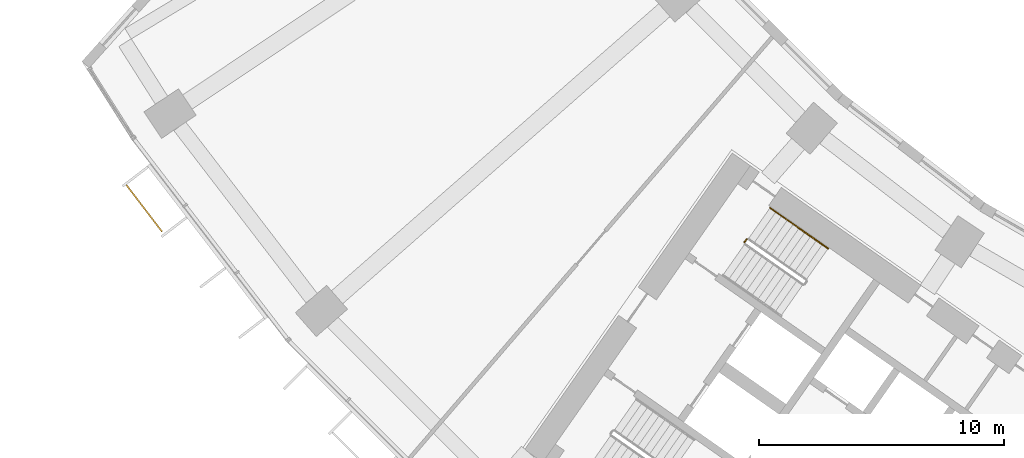
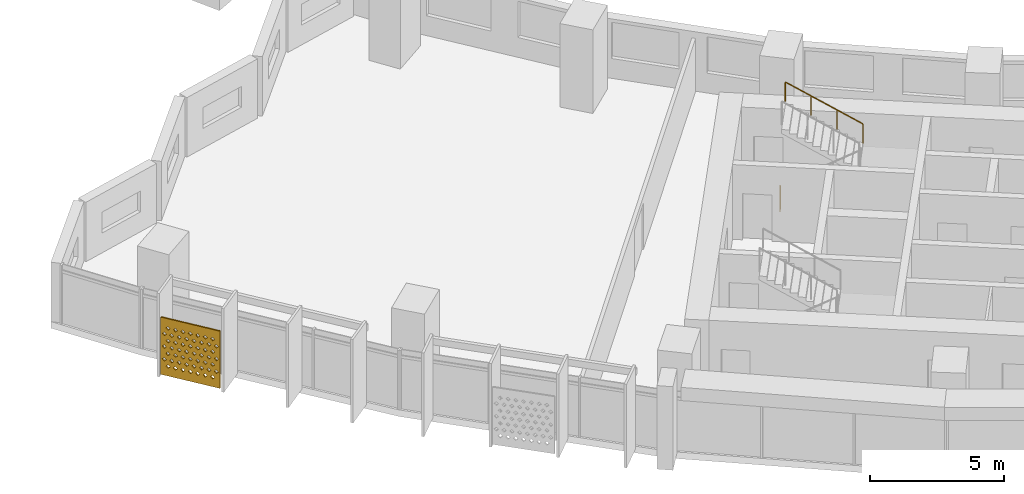
# One storey, part 27 of 31: 2 railings, 1 shading device.
"""IFC4 building model written with IfcOpenShell, lengths in metres."""

from ifc_helpers import new_model, si_unit, direction, frame, origin, origin_2d, place, context, subcontext, project, spatial, polyline, circle, outline, extrude, material, material_profile, profile_set, type_object, element, save


model = new_model("IFC4")

# Units and contexts
model_context = context("Model", 3, precision=1e-05, world=origin(), true_north=direction((0.0, 1.0)))
body_context = subcontext(model_context, "Body", "Model", "MODEL_VIEW")
ifc_project = project(units=[si_unit("LENGTHUNIT", "METRE"), si_unit("AREAUNIT", "SQUARE_METRE"), si_unit("VOLUMEUNIT", "CUBIC_METRE"), si_unit("PLANEANGLEUNIT", "RADIAN"), si_unit("MASSUNIT", "GRAM", prefix="KILO")], contexts=[model_context])

# Site, building, storey
site_placement = place(None, origin())
site = spatial("IfcSite", under=ifc_project, at=site_placement, CompositionType="ELEMENT")
building_placement = place(site_placement, origin())
building = spatial("IfcBuilding", under=site, at=building_placement, Name="Qamariyya Broadcast Tower", CompositionType="ELEMENT")
storey_placement = place(building_placement, frame((0.0, 0.0, 86.10009765625)))
storey = spatial("IfcBuildingStorey", under=building, at=storey_placement, Name="L18", CompositionType="ELEMENT", Elevation=86.10009765625)

# Shading device
ifc_material_1 = material(Name="Perforated glazed terracotta", Category="masonry")
ifc_material_profile = material_profile(ifc_material_1, outline(polyline([(-1.199951171875, -1.300048828125), (1.199951171875, -1.300048828125), (1.199951171875, 1.300048828125), (-1.199951171875, 1.300048828125), (-1.199951171875, -1.300048828125)]), holes=[polyline([(-0.81494140625, -0.86669921875), (-0.89990234375, -0.78173828125), (-0.985107421875, -0.86669921875), (-0.89990234375, -0.95166015625), (-0.81494140625, -0.86669921875)]), polyline([(-0.514892578125, -0.86669921875), (-0.60009765625, -0.78173828125), (-0.68505859375, -0.86669921875), (-0.60009765625, -0.95166015625), (-0.514892578125, -0.86669921875)]), polyline([(-0.215087890625, -0.86669921875), (-0.300048828125, -0.78173828125), (-0.385009765625, -0.86669921875), (-0.300048828125, -0.95166015625), (-0.215087890625, -0.86669921875)]), polyline([(0.0849609375, -0.86669921875), (0.0, -0.78173828125), (-0.0849609375, -0.86669921875), (0.0, -0.95166015625), (0.0849609375, -0.86669921875)]), polyline([(0.385009765625, -0.86669921875), (0.300048828125, -0.78173828125), (0.215087890625, -0.86669921875), (0.300048828125, -0.95166015625), (0.385009765625, -0.86669921875)]), polyline([(0.68505859375, -0.86669921875), (0.60009765625, -0.78173828125), (0.514892578125, -0.86669921875), (0.60009765625, -0.95166015625), (0.68505859375, -0.86669921875)]), polyline([(0.985107421875, -0.86669921875), (0.89990234375, -0.78173828125), (0.81494140625, -0.86669921875), (0.89990234375, -0.95166015625), (0.985107421875, -0.86669921875)]), polyline([(-0.965087890625, -0.577880859375), (-1.050048828125, -0.49267578125), (-1.135009765625, -0.577880859375), (-1.050048828125, -0.662841796875), (-0.965087890625, -0.577880859375)]), polyline([(-0.6650390625, -0.577880859375), (-0.75, -0.49267578125), (-0.8349609375, -0.577880859375), (-0.75, -0.662841796875), (-0.6650390625, -0.577880859375)]), polyline([(-0.364990234375, -0.577880859375), (-0.449951171875, -0.49267578125), (-0.534912109375, -0.577880859375), (-0.449951171875, -0.662841796875), (-0.364990234375, -0.577880859375)]), polyline([(-0.06494140625, -0.577880859375), (-0.14990234375, -0.49267578125), (-0.235107421875, -0.577880859375), (-0.14990234375, -0.662841796875), (-0.06494140625, -0.577880859375)]), polyline([(0.235107421875, -0.577880859375), (0.14990234375, -0.49267578125), (0.06494140625, -0.577880859375), (0.14990234375, -0.662841796875), (0.235107421875, -0.577880859375)]), polyline([(0.534912109375, -0.577880859375), (0.449951171875, -0.49267578125), (0.364990234375, -0.577880859375), (0.449951171875, -0.662841796875), (0.534912109375, -0.577880859375)]), polyline([(0.8349609375, -0.577880859375), (0.75, -0.49267578125), (0.6650390625, -0.577880859375), (0.75, -0.662841796875), (0.8349609375, -0.577880859375)]), polyline([(1.135009765625, -0.577880859375), (1.050048828125, -0.49267578125), (0.965087890625, -0.577880859375), (1.050048828125, -0.662841796875), (1.135009765625, -0.577880859375)]), polyline([(-0.81494140625, -0.288818359375), (-0.89990234375, -0.203857421875), (-0.985107421875, -0.288818359375), (-0.89990234375, -0.373779296875), (-0.81494140625, -0.288818359375)]), polyline([(-0.514892578125, -0.288818359375), (-0.60009765625, -0.203857421875), (-0.68505859375, -0.288818359375), (-0.60009765625, -0.373779296875), (-0.514892578125, -0.288818359375)]), polyline([(-0.215087890625, -0.288818359375), (-0.300048828125, -0.203857421875), (-0.385009765625, -0.288818359375), (-0.300048828125, -0.373779296875), (-0.215087890625, -0.288818359375)]), polyline([(0.0849609375, -0.288818359375), (0.0, -0.203857421875), (-0.0849609375, -0.288818359375), (0.0, -0.373779296875), (0.0849609375, -0.288818359375)]), polyline([(0.385009765625, -0.288818359375), (0.300048828125, -0.203857421875), (0.215087890625, -0.288818359375), (0.300048828125, -0.373779296875), (0.385009765625, -0.288818359375)]), polyline([(0.68505859375, -0.288818359375), (0.60009765625, -0.203857421875), (0.514892578125, -0.288818359375), (0.60009765625, -0.373779296875), (0.68505859375, -0.288818359375)]), polyline([(0.985107421875, -0.288818359375), (0.89990234375, -0.203857421875), (0.81494140625, -0.288818359375), (0.89990234375, -0.373779296875), (0.985107421875, -0.288818359375)]), polyline([(-0.965087890625, 0.0), (-1.050048828125, 0.0849609375), (-1.135009765625, 0.0), (-1.050048828125, -0.0849609375), (-0.965087890625, 0.0)]), polyline([(-0.6650390625, 0.0), (-0.75, 0.0849609375), (-0.8349609375, 0.0), (-0.75, -0.0849609375), (-0.6650390625, 0.0)]), polyline([(-0.364990234375, 0.0), (-0.449951171875, 0.0849609375), (-0.534912109375, 0.0), (-0.449951171875, -0.0849609375), (-0.364990234375, 0.0)]), polyline([(-0.06494140625, 0.0), (-0.14990234375, 0.0849609375), (-0.235107421875, 0.0), (-0.14990234375, -0.0849609375), (-0.06494140625, 0.0)]), polyline([(0.235107421875, 0.0), (0.14990234375, 0.0849609375), (0.06494140625, 0.0), (0.14990234375, -0.0849609375), (0.235107421875, 0.0)]), polyline([(0.534912109375, 0.0), (0.449951171875, 0.0849609375), (0.364990234375, 0.0), (0.449951171875, -0.0849609375), (0.534912109375, 0.0)]), polyline([(0.8349609375, 0.0), (0.75, 0.0849609375), (0.6650390625, 0.0), (0.75, -0.0849609375), (0.8349609375, 0.0)]), polyline([(1.135009765625, 0.0), (1.050048828125, 0.0849609375), (0.965087890625, 0.0), (1.050048828125, -0.0849609375), (1.135009765625, 0.0)]), polyline([(-0.81494140625, 0.288818359375), (-0.89990234375, 0.373779296875), (-0.985107421875, 0.288818359375), (-0.89990234375, 0.203857421875), (-0.81494140625, 0.288818359375)]), polyline([(-0.514892578125, 0.288818359375), (-0.60009765625, 0.373779296875), (-0.68505859375, 0.288818359375), (-0.60009765625, 0.203857421875), (-0.514892578125, 0.288818359375)]), polyline([(-0.215087890625, 0.288818359375), (-0.300048828125, 0.373779296875), (-0.385009765625, 0.288818359375), (-0.300048828125, 0.203857421875), (-0.215087890625, 0.288818359375)]), polyline([(0.0849609375, 0.288818359375), (0.0, 0.373779296875), (-0.0849609375, 0.288818359375), (0.0, 0.203857421875), (0.0849609375, 0.288818359375)]), polyline([(0.385009765625, 0.288818359375), (0.300048828125, 0.373779296875), (0.215087890625, 0.288818359375), (0.300048828125, 0.203857421875), (0.385009765625, 0.288818359375)]), polyline([(0.68505859375, 0.288818359375), (0.60009765625, 0.373779296875), (0.514892578125, 0.288818359375), (0.60009765625, 0.203857421875), (0.68505859375, 0.288818359375)]), polyline([(0.985107421875, 0.288818359375), (0.89990234375, 0.373779296875), (0.81494140625, 0.288818359375), (0.89990234375, 0.203857421875), (0.985107421875, 0.288818359375)]), polyline([(-0.965087890625, 0.577880859375), (-1.050048828125, 0.662841796875), (-1.135009765625, 0.577880859375), (-1.050048828125, 0.49267578125), (-0.965087890625, 0.577880859375)]), polyline([(-0.6650390625, 0.577880859375), (-0.75, 0.662841796875), (-0.8349609375, 0.577880859375), (-0.75, 0.49267578125), (-0.6650390625, 0.577880859375)]), polyline([(-0.364990234375, 0.577880859375), (-0.449951171875, 0.662841796875), (-0.534912109375, 0.577880859375), (-0.449951171875, 0.49267578125), (-0.364990234375, 0.577880859375)]), polyline([(-0.06494140625, 0.577880859375), (-0.14990234375, 0.662841796875), (-0.235107421875, 0.577880859375), (-0.14990234375, 0.49267578125), (-0.06494140625, 0.577880859375)]), polyline([(0.235107421875, 0.577880859375), (0.14990234375, 0.662841796875), (0.06494140625, 0.577880859375), (0.14990234375, 0.49267578125), (0.235107421875, 0.577880859375)]), polyline([(0.534912109375, 0.577880859375), (0.449951171875, 0.662841796875), (0.364990234375, 0.577880859375), (0.449951171875, 0.49267578125), (0.534912109375, 0.577880859375)]), polyline([(0.8349609375, 0.577880859375), (0.75, 0.662841796875), (0.6650390625, 0.577880859375), (0.75, 0.49267578125), (0.8349609375, 0.577880859375)]), polyline([(1.135009765625, 0.577880859375), (1.050048828125, 0.662841796875), (0.965087890625, 0.577880859375), (1.050048828125, 0.49267578125), (1.135009765625, 0.577880859375)]), polyline([(-0.81494140625, 0.86669921875), (-0.89990234375, 0.95166015625), (-0.985107421875, 0.86669921875), (-0.89990234375, 0.78173828125), (-0.81494140625, 0.86669921875)]), polyline([(-0.514892578125, 0.86669921875), (-0.60009765625, 0.95166015625), (-0.68505859375, 0.86669921875), (-0.60009765625, 0.78173828125), (-0.514892578125, 0.86669921875)]), polyline([(-0.215087890625, 0.86669921875), (-0.300048828125, 0.95166015625), (-0.385009765625, 0.86669921875), (-0.300048828125, 0.78173828125), (-0.215087890625, 0.86669921875)]), polyline([(0.0849609375, 0.86669921875), (0.0, 0.95166015625), (-0.0849609375, 0.86669921875), (0.0, 0.78173828125), (0.0849609375, 0.86669921875)]), polyline([(0.385009765625, 0.86669921875), (0.300048828125, 0.95166015625), (0.215087890625, 0.86669921875), (0.300048828125, 0.78173828125), (0.385009765625, 0.86669921875)]), polyline([(0.68505859375, 0.86669921875), (0.60009765625, 0.95166015625), (0.514892578125, 0.86669921875), (0.60009765625, 0.78173828125), (0.68505859375, 0.86669921875)]), polyline([(0.985107421875, 0.86669921875), (0.89990234375, 0.95166015625), (0.81494140625, 0.86669921875), (0.89990234375, 0.78173828125), (0.985107421875, 0.86669921875)])]))
ifc_profile_set = profile_set([ifc_material_profile], Name="Perforated glazed terracotta")
shading_device_type = type_object("IfcShadingDeviceType", Name="Perforated terracotta screen 2400 x 2600", PredefinedType="USERDEFINED", material=ifc_profile_set)
shading_device_placement = place(storey_placement, frame((-65.680419921875, -47.04931640625, 1.349853515625), z_axis=(-0.794589096806, -0.607147566278, 0.0), x_axis=(0.607147566278, -0.794589096806, 0.0)))
element("IfcShadingDevice", 1, at=shading_device_placement, inside=storey, type_object=shading_device_type, Name="e-scr-L18-01-0", ObjectType="SCREEN", PredefinedType="USERDEFINED", context=body_context, shape_type="SweptSolid", body=[
    extrude(outline(polyline([(-1.199951171875, -1.300048828125), (1.199951171875, -1.300048828125), (1.199951171875, 1.300048828125), (-1.199951171875, 1.300048828125), (-1.199951171875, -1.300048828125)]), holes=[polyline([(-0.81494140625, -0.86669921875), (-0.89990234375, -0.78173828125), (-0.985107421875, -0.86669921875), (-0.89990234375, -0.95166015625), (-0.81494140625, -0.86669921875)]), polyline([(-0.514892578125, -0.86669921875), (-0.60009765625, -0.78173828125), (-0.68505859375, -0.86669921875), (-0.60009765625, -0.95166015625), (-0.514892578125, -0.86669921875)]), polyline([(-0.215087890625, -0.86669921875), (-0.300048828125, -0.78173828125), (-0.385009765625, -0.86669921875), (-0.300048828125, -0.95166015625), (-0.215087890625, -0.86669921875)]), polyline([(0.0849609375, -0.86669921875), (0.0, -0.78173828125), (-0.0849609375, -0.86669921875), (0.0, -0.95166015625), (0.0849609375, -0.86669921875)]), polyline([(0.385009765625, -0.86669921875), (0.300048828125, -0.78173828125), (0.215087890625, -0.86669921875), (0.300048828125, -0.95166015625), (0.385009765625, -0.86669921875)]), polyline([(0.68505859375, -0.86669921875), (0.60009765625, -0.78173828125), (0.514892578125, -0.86669921875), (0.60009765625, -0.95166015625), (0.68505859375, -0.86669921875)]), polyline([(0.985107421875, -0.86669921875), (0.89990234375, -0.78173828125), (0.81494140625, -0.86669921875), (0.89990234375, -0.95166015625), (0.985107421875, -0.86669921875)]), polyline([(-0.965087890625, -0.577880859375), (-1.050048828125, -0.49267578125), (-1.135009765625, -0.577880859375), (-1.050048828125, -0.662841796875), (-0.965087890625, -0.577880859375)]), polyline([(-0.6650390625, -0.577880859375), (-0.75, -0.49267578125), (-0.8349609375, -0.577880859375), (-0.75, -0.662841796875), (-0.6650390625, -0.577880859375)]), polyline([(-0.364990234375, -0.577880859375), (-0.449951171875, -0.49267578125), (-0.534912109375, -0.577880859375), (-0.449951171875, -0.662841796875), (-0.364990234375, -0.577880859375)]), polyline([(-0.06494140625, -0.577880859375), (-0.14990234375, -0.49267578125), (-0.235107421875, -0.577880859375), (-0.14990234375, -0.662841796875), (-0.06494140625, -0.577880859375)]), polyline([(0.235107421875, -0.577880859375), (0.14990234375, -0.49267578125), (0.06494140625, -0.577880859375), (0.14990234375, -0.662841796875), (0.235107421875, -0.577880859375)]), polyline([(0.534912109375, -0.577880859375), (0.449951171875, -0.49267578125), (0.364990234375, -0.577880859375), (0.449951171875, -0.662841796875), (0.534912109375, -0.577880859375)]), polyline([(0.8349609375, -0.577880859375), (0.75, -0.49267578125), (0.6650390625, -0.577880859375), (0.75, -0.662841796875), (0.8349609375, -0.577880859375)]), polyline([(1.135009765625, -0.577880859375), (1.050048828125, -0.49267578125), (0.965087890625, -0.577880859375), (1.050048828125, -0.662841796875), (1.135009765625, -0.577880859375)]), polyline([(-0.81494140625, -0.288818359375), (-0.89990234375, -0.203857421875), (-0.985107421875, -0.288818359375), (-0.89990234375, -0.373779296875), (-0.81494140625, -0.288818359375)]), polyline([(-0.514892578125, -0.288818359375), (-0.60009765625, -0.203857421875), (-0.68505859375, -0.288818359375), (-0.60009765625, -0.373779296875), (-0.514892578125, -0.288818359375)]), polyline([(-0.215087890625, -0.288818359375), (-0.300048828125, -0.203857421875), (-0.385009765625, -0.288818359375), (-0.300048828125, -0.373779296875), (-0.215087890625, -0.288818359375)]), polyline([(0.0849609375, -0.288818359375), (0.0, -0.203857421875), (-0.0849609375, -0.288818359375), (0.0, -0.373779296875), (0.0849609375, -0.288818359375)]), polyline([(0.385009765625, -0.288818359375), (0.300048828125, -0.203857421875), (0.215087890625, -0.288818359375), (0.300048828125, -0.373779296875), (0.385009765625, -0.288818359375)]), polyline([(0.68505859375, -0.288818359375), (0.60009765625, -0.203857421875), (0.514892578125, -0.288818359375), (0.60009765625, -0.373779296875), (0.68505859375, -0.288818359375)]), polyline([(0.985107421875, -0.288818359375), (0.89990234375, -0.203857421875), (0.81494140625, -0.288818359375), (0.89990234375, -0.373779296875), (0.985107421875, -0.288818359375)]), polyline([(-0.965087890625, 0.0), (-1.050048828125, 0.0849609375), (-1.135009765625, 0.0), (-1.050048828125, -0.0849609375), (-0.965087890625, 0.0)]), polyline([(-0.6650390625, 0.0), (-0.75, 0.0849609375), (-0.8349609375, 0.0), (-0.75, -0.0849609375), (-0.6650390625, 0.0)]), polyline([(-0.364990234375, 0.0), (-0.449951171875, 0.0849609375), (-0.534912109375, 0.0), (-0.449951171875, -0.0849609375), (-0.364990234375, 0.0)]), polyline([(-0.06494140625, 0.0), (-0.14990234375, 0.0849609375), (-0.235107421875, 0.0), (-0.14990234375, -0.0849609375), (-0.06494140625, 0.0)]), polyline([(0.235107421875, 0.0), (0.14990234375, 0.0849609375), (0.06494140625, 0.0), (0.14990234375, -0.0849609375), (0.235107421875, 0.0)]), polyline([(0.534912109375, 0.0), (0.449951171875, 0.0849609375), (0.364990234375, 0.0), (0.449951171875, -0.0849609375), (0.534912109375, 0.0)]), polyline([(0.8349609375, 0.0), (0.75, 0.0849609375), (0.6650390625, 0.0), (0.75, -0.0849609375), (0.8349609375, 0.0)]), polyline([(1.135009765625, 0.0), (1.050048828125, 0.0849609375), (0.965087890625, 0.0), (1.050048828125, -0.0849609375), (1.135009765625, 0.0)]), polyline([(-0.81494140625, 0.288818359375), (-0.89990234375, 0.373779296875), (-0.985107421875, 0.288818359375), (-0.89990234375, 0.203857421875), (-0.81494140625, 0.288818359375)]), polyline([(-0.514892578125, 0.288818359375), (-0.60009765625, 0.373779296875), (-0.68505859375, 0.288818359375), (-0.60009765625, 0.203857421875), (-0.514892578125, 0.288818359375)]), polyline([(-0.215087890625, 0.288818359375), (-0.300048828125, 0.373779296875), (-0.385009765625, 0.288818359375), (-0.300048828125, 0.203857421875), (-0.215087890625, 0.288818359375)]), polyline([(0.0849609375, 0.288818359375), (0.0, 0.373779296875), (-0.0849609375, 0.288818359375), (0.0, 0.203857421875), (0.0849609375, 0.288818359375)]), polyline([(0.385009765625, 0.288818359375), (0.300048828125, 0.373779296875), (0.215087890625, 0.288818359375), (0.300048828125, 0.203857421875), (0.385009765625, 0.288818359375)]), polyline([(0.68505859375, 0.288818359375), (0.60009765625, 0.373779296875), (0.514892578125, 0.288818359375), (0.60009765625, 0.203857421875), (0.68505859375, 0.288818359375)]), polyline([(0.985107421875, 0.288818359375), (0.89990234375, 0.373779296875), (0.81494140625, 0.288818359375), (0.89990234375, 0.203857421875), (0.985107421875, 0.288818359375)]), polyline([(-0.965087890625, 0.577880859375), (-1.050048828125, 0.662841796875), (-1.135009765625, 0.577880859375), (-1.050048828125, 0.49267578125), (-0.965087890625, 0.577880859375)]), polyline([(-0.6650390625, 0.577880859375), (-0.75, 0.662841796875), (-0.8349609375, 0.577880859375), (-0.75, 0.49267578125), (-0.6650390625, 0.577880859375)]), polyline([(-0.364990234375, 0.577880859375), (-0.449951171875, 0.662841796875), (-0.534912109375, 0.577880859375), (-0.449951171875, 0.49267578125), (-0.364990234375, 0.577880859375)]), polyline([(-0.06494140625, 0.577880859375), (-0.14990234375, 0.662841796875), (-0.235107421875, 0.577880859375), (-0.14990234375, 0.49267578125), (-0.06494140625, 0.577880859375)]), polyline([(0.235107421875, 0.577880859375), (0.14990234375, 0.662841796875), (0.06494140625, 0.577880859375), (0.14990234375, 0.49267578125), (0.235107421875, 0.577880859375)]), polyline([(0.534912109375, 0.577880859375), (0.449951171875, 0.662841796875), (0.364990234375, 0.577880859375), (0.449951171875, 0.49267578125), (0.534912109375, 0.577880859375)]), polyline([(0.8349609375, 0.577880859375), (0.75, 0.662841796875), (0.6650390625, 0.577880859375), (0.75, 0.49267578125), (0.8349609375, 0.577880859375)]), polyline([(1.135009765625, 0.577880859375), (1.050048828125, 0.662841796875), (0.965087890625, 0.577880859375), (1.050048828125, 0.49267578125), (1.135009765625, 0.577880859375)]), polyline([(-0.81494140625, 0.86669921875), (-0.89990234375, 0.95166015625), (-0.985107421875, 0.86669921875), (-0.89990234375, 0.78173828125), (-0.81494140625, 0.86669921875)]), polyline([(-0.514892578125, 0.86669921875), (-0.60009765625, 0.95166015625), (-0.68505859375, 0.86669921875), (-0.60009765625, 0.78173828125), (-0.514892578125, 0.86669921875)]), polyline([(-0.215087890625, 0.86669921875), (-0.300048828125, 0.95166015625), (-0.385009765625, 0.86669921875), (-0.300048828125, 0.78173828125), (-0.215087890625, 0.86669921875)]), polyline([(0.0849609375, 0.86669921875), (0.0, 0.95166015625), (-0.0849609375, 0.86669921875), (0.0, 0.78173828125), (0.0849609375, 0.86669921875)]), polyline([(0.385009765625, 0.86669921875), (0.300048828125, 0.95166015625), (0.215087890625, 0.86669921875), (0.300048828125, 0.78173828125), (0.385009765625, 0.86669921875)]), polyline([(0.68505859375, 0.86669921875), (0.60009765625, 0.95166015625), (0.514892578125, 0.86669921875), (0.60009765625, 0.78173828125), (0.68505859375, 0.86669921875)]), polyline([(0.985107421875, 0.86669921875), (0.89990234375, 0.95166015625), (0.81494140625, 0.86669921875), (0.89990234375, 0.78173828125), (0.985107421875, 0.86669921875)])]), origin(), (0.0, 0.0, 1.0), 0.059814453125),
])

# Railings
ifc_material_2 = material(Name="Painted steel", Category="steel")
railing_type_1 = type_object("IfcRailingType", Name="Stair guard", PredefinedType="GUARDRAIL", material=ifc_material_2)
railing_1_placement = place(storey_placement, frame((-41.158935546875, -48.455322265625, 0.0)))
element("IfcRailing", 2, at=railing_1_placement, inside=storey, type_object=railing_type_1, Name="L18 ST-W2 stair guard 3", PredefinedType="GUARDRAIL", context=body_context, shape_type="SweptSolid", body=[
    extrude(circle(Radius=0.02392578125, at=origin_2d()), frame((0.0, 0.0, 1.076171875), z_axis=(0.572588637393, 0.819842821722, 0.0), x_axis=(-0.819842821722, 0.572588637393, 0.0)), (0.0, 0.0, 1.0), 0.150146484375),
    extrude(circle(Radius=0.02099609375, at=origin_2d()), origin(), (0.0, 0.0, 1.0), 1.052001953125),
    extrude(circle(Radius=0.02099609375, at=origin_2d()), frame((0.0859375, 0.123046875, 0.0)), (0.0, 0.0, 1.0), 1.052001953125),
])
ifc_material_3 = material(Name="Stainless steel", Category="steel")
railing_type_2 = type_object("IfcRailingType", Name="Stair handrail", PredefinedType="HANDRAIL", material=ifc_material_3)
railing_2_placement = place(storey_placement, frame((-37.73876953125, -48.7138671875, 2.072509765625)))
element("IfcRailing", 3, at=railing_2_placement, inside=storey, type_object=railing_type_2, Name="L18 ST-W2 stair handrail 2", PredefinedType="HANDRAIL", context=body_context, shape_type="SweptSolid", body=[
    extrude(circle(Radius=0.02392578125, at=origin_2d()), frame((0.0, 0.0, 0.8759765625), z_axis=(-0.703745009021, 0.492838488332, 0.511715923826), x_axis=(-0.573631830683, -0.819113253969, 0.0)), (0.0, 0.0, 1.0), 3.37548828125),
    extrude(circle(Radius=0.02099609375, at=origin_2d()), origin(), (0.0, 0.0, 1.0), 0.851806640625),
    extrude(circle(Radius=0.02099609375, at=origin_2d()), frame((-0.791748046875, 0.554443359375, 0.57568359375)), (0.0, 0.0, 1.0), 0.851806640625),
    extrude(circle(Radius=0.02099609375, at=origin_2d()), frame((-1.583740234375, 1.109130859375, 1.151611328125)), (0.0, 0.0, 1.0), 0.851806640625),
    extrude(circle(Radius=0.02099609375, at=origin_2d()), frame((-2.37548828125, 1.66357421875, 1.727294921875)), (0.0, 0.0, 1.0), 0.851806640625),
])

save(model, "model.ifc")
